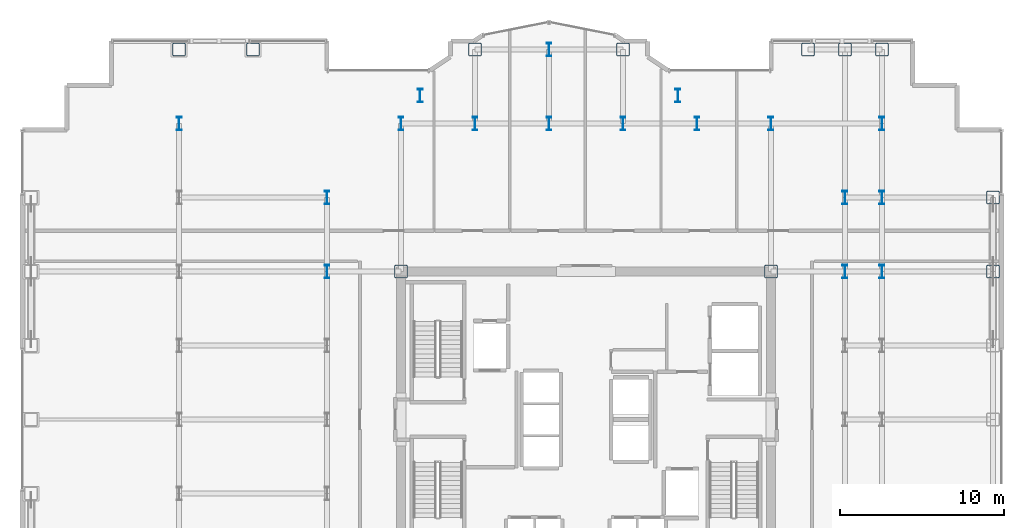
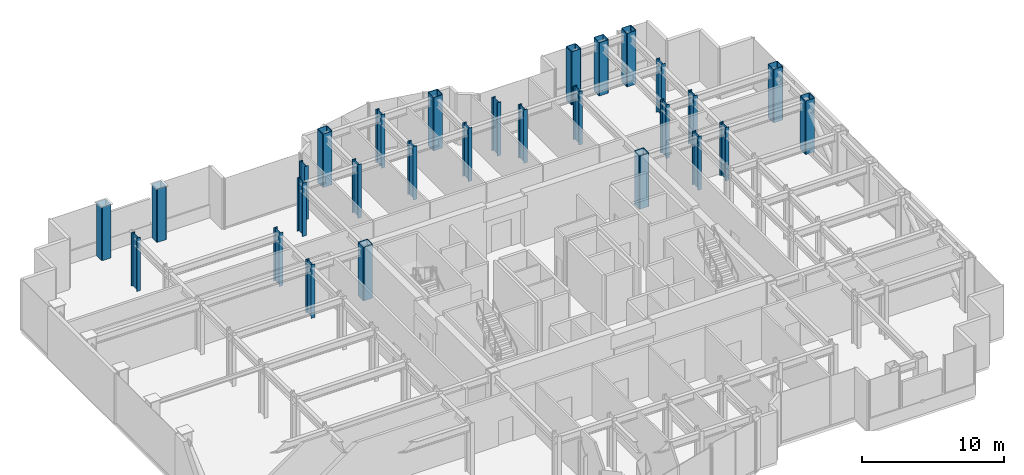
# One storey, part 2 of 26: 28 columns.
"""IFC4 building model written with IfcOpenShell, lengths in metres."""

from ifc_helpers import new_model, si_unit, direction, frame, origin, origin_2d, place, context, subcontext, project, spatial, hollow_rectangle, i_section, extrude, source, transform, mapped, material, material_profile, profile_set, type_object, element, save


model = new_model("IFC4")

# Units and contexts
model_context = context("Model", 3, precision=1e-05, world=origin(), true_north=direction((0.0, 1.0)))
body_context = subcontext(model_context, "Body", "Model", "MODEL_VIEW")
ifc_project = project(units=[si_unit("LENGTHUNIT", "METRE"), si_unit("AREAUNIT", "SQUARE_METRE"), si_unit("VOLUMEUNIT", "CUBIC_METRE"), si_unit("PLANEANGLEUNIT", "RADIAN"), si_unit("MASSUNIT", "GRAM", prefix="KILO")], contexts=[model_context])

# Site, building, storey
site_placement = place(None, origin())
site = spatial("IfcSite", under=ifc_project, at=site_placement, CompositionType="ELEMENT")
building_placement = place(site_placement, origin())
building = spatial("IfcBuilding", under=site, at=building_placement, Name="Nefas-Gora Pilgrimage Tower", CompositionType="ELEMENT")
storey_placement = place(building_placement, frame((0.0, 0.0, 202.0)))
storey = spatial("IfcBuildingStorey", under=building, at=storey_placement, Name="L50", CompositionType="ELEMENT", Elevation=202.0)

# Columns
ifc_material = material(Name="Steel S460", Category="steel")
ifc_material_profile_1 = material_profile(ifc_material, hollow_rectangle(XDim=0.800048828125, YDim=0.800048828125, WallThickness=0.0400390625, InnerFilletRadius=0.0400390625, OuterFilletRadius=0.080078125, at=origin_2d()), Name="BOX 800x800x40")
ifc_profile_set_1 = profile_set([ifc_material_profile_1], Name="Steel S460")
column_type_1 = type_object("IfcColumnType", Name="COL-TUBE-800", PredefinedType="COLUMN", material=ifc_profile_set_1)
shared_shape_1 = source(origin(), body_context, "Body", "SweptSolid", [
    extrude(hollow_rectangle(XDim=0.800048828125, YDim=0.800048828125, WallThickness=0.0400390625, InnerFilletRadius=0.0400390625, OuterFilletRadius=0.080078125, at=origin_2d()), origin(), (0.0, 0.0, 1.0), 4.60009765625),
])
for number, where, z_axis, x_axis, name in (
    (1, (-24.75, 22.5, 0.0), (0.0, 0.0, 1.0), (1.0, 0.0, 0.0), "L50 Tower Column C-Z2.18"),
    (2, (-20.25, 22.5, 0.0), (0.0, 0.0, 1.0), (1.0, 0.0, 0.0), "L50 Tower Column C-Z2.20"),
    (3, (-6.75, 22.5, 0.0), (0.0, 0.0, 1.0), (1.0, 0.0, 0.0), "L50 Tower Column C-Z2.37"),
    (4, (2.25, 22.5, 0.0), (0.0, 0.0, 1.0), (1.0, 0.0, 0.0), "L50 Tower Column C-Z2.45"),
    (5, (13.5, 22.5, 0.0), (0.0, 0.0, 1.0), (1.0, 0.0, 0.0), "L50 Tower Column C-Z2.55"),
    (6, (15.75, 22.5, 0.0), (0.0, 0.0, 1.0), (1.0, 0.0, 0.0), "L50 Tower Column C-Z2.64"),
    (7, (18.0, 22.5, 0.0), (0.0, 0.0, 1.0), (1.0, 0.0, 0.0), "L50 Tower Column C-Z2.73"),
    (8, (24.75, 9.0, 0.0), (0.0, 0.0, 1.0), (1.0, 0.0, 0.0), "L50 Tower Column C-Z2.79"),
    (9, (24.75, 13.5, 0.0), (0.0, 0.0, 1.0), (1.0, 0.0, 0.0), "L50 Tower Column C-Z2.80"),
):
    element("IfcColumn", number, at=place(storey_placement, frame(where, z_axis=z_axis, x_axis=x_axis)), inside=storey, type_object=column_type_1, Name=name, PredefinedType="COLUMN", context=body_context, shape_type="MappedRepresentation", body=[
        mapped(shared_shape_1, transform((0.0, 0.0, 0.0), x_axis=(1.0, 0.0, 0.0), y_axis=(0.0, 1.0, 0.0), z_axis=(0.0, 0.0, 1.0), scale=1.0)),
    ])
ifc_material_profile_2 = material_profile(ifc_material, i_section(OverallWidth=0.302978515625, OverallDepth=0.81396484375, WebThickness=0.02099609375, FlangeThickness=0.0400390625, FilletRadius=0.030029296875, at=origin_2d()), Name="HEM 800")
ifc_profile_set_2 = profile_set([ifc_material_profile_2], Name="Steel S460")
column_type_2 = type_object("IfcColumnType", Name="COL-WEB-HEM800", PredefinedType="COLUMN", material=ifc_profile_set_2)
shared_shape_2 = source(origin(), body_context, "Body", "SweptSolid", [
    extrude(i_section(OverallWidth=0.302978515625, OverallDepth=0.81396484375, WebThickness=0.02099609375, FlangeThickness=0.0400390625, FilletRadius=0.030029296875, at=origin_2d()), origin(), (0.0, 0.0, 1.0), 4.60009765625),
])
for number, where, z_axis, x_axis, name in (
    (10, (-24.75, 18.0, 0.0), (0.0, 0.0, 1.0), (1.0, 0.0, 0.0), "L50 Tower Column CW-02.17"),
    (11, (-15.75, 9.0, 0.0), (0.0, 0.0, 1.0), (1.0, 0.0, 0.0), "L50 Tower Column CW-02.26"),
    (12, (-15.75, 13.5, 0.0), (0.0, 0.0, 1.0), (1.0, 0.0, 0.0), "L50 Tower Column CW-02.27"),
    (13, (-11.25, 18.0, 0.0), (0.0, 0.0, 1.0), (1.0, 0.0, 0.0), "L50 Tower Column CW-02.31"),
    (14, (-10.091064453125, 19.696044921875, 0.0), (0.0, 0.0, 1.0), (1.0, 0.0, 0.0), "L50 Tower Column CW-02.33"),
    (15, (-6.75, 18.0, 0.0), (0.0, 0.0, 1.0), (1.0, 0.0, 0.0), "L50 Tower Column CW-02.36"),
    (16, (-2.25, 18.0, 0.0), (0.0, 0.0, 1.0), (1.0, 0.0, 0.0), "L50 Tower Column CW-02.40"),
    (17, (-2.25, 22.5, 0.0), (0.0, 0.0, 1.0), (1.0, 0.0, 0.0), "L50 Tower Column CW-02.41"),
    (18, (2.25, 18.0, 0.0), (0.0, 0.0, 1.0), (1.0, 0.0, 0.0), "L50 Tower Column CW-02.44"),
    (19, (5.591064453125, 19.696044921875, 0.0), (0.0, 0.0, 1.0), (1.0, 0.0, 0.0), "L50 Tower Column CW-02.47"),
    (20, (6.75, 18.0, 0.0), (0.0, 0.0, 1.0), (1.0, 0.0, 0.0), "L50 Tower Column CW-02.49"),
    (21, (11.25, 18.0, 0.0), (0.0, 0.0, 1.0), (1.0, 0.0, 0.0), "L50 Tower Column CW-02.53"),
    (22, (15.75, 9.0, 0.0), (0.0, 0.0, 1.0), (1.0, 0.0, 0.0), "L50 Tower Column CW-02.62"),
    (23, (15.75, 13.5, 0.0), (0.0, 0.0, 1.0), (1.0, 0.0, 0.0), "L50 Tower Column CW-02.63"),
    (24, (18.0, 9.0, 0.0), (0.0, 0.0, 1.0), (1.0, 0.0, 0.0), "L50 Tower Column CW-02.70"),
    (25, (18.0, 13.5, 0.0), (0.0, 0.0, 1.0), (1.0, 0.0, 0.0), "L50 Tower Column CW-02.71"),
    (26, (18.0, 18.0, 0.0), (0.0, 0.0, 1.0), (1.0, 0.0, 0.0), "L50 Tower Column CW-02.72"),
):
    element("IfcColumn", number, at=place(storey_placement, frame(where, z_axis=z_axis, x_axis=x_axis)), inside=storey, type_object=column_type_2, Name=name, PredefinedType="COLUMN", context=body_context, shape_type="MappedRepresentation", body=[
        mapped(shared_shape_2, transform((0.0, 0.0, 0.0), x_axis=(1.0, 0.0, 0.0), y_axis=(0.0, 1.0, 0.0), z_axis=(0.0, 0.0, 1.0), scale=1.0)),
    ])
ifc_material_profile_3 = material_profile(ifc_material, hollow_rectangle(XDim=0.800048828125, YDim=0.800048828125, WallThickness=0.0400390625, InnerFilletRadius=0.0400390625, OuterFilletRadius=0.080078125, at=origin_2d()), Name="BOX 800x800x40")
ifc_profile_set_3 = profile_set([ifc_material_profile_3], Name="Steel S460")
column_type_3 = type_object("IfcColumnType", Name="COL-CORE-800", PredefinedType="COLUMN", material=ifc_profile_set_3)
shared_shape_3 = source(origin(), body_context, "Body", "SweptSolid", [
    extrude(hollow_rectangle(XDim=0.800048828125, YDim=0.800048828125, WallThickness=0.0400390625, InnerFilletRadius=0.0400390625, OuterFilletRadius=0.080078125, at=origin_2d()), origin(), (0.0, 0.0, 1.0), 4.60009765625),
])
for number, where, z_axis, x_axis, name in (
    (27, (-11.25, 9.0, 0.0), (0.0, 0.0, 1.0), (1.0, 0.0, 0.0), "L50 Tower Column CC-Z2.30"),
    (28, (11.25, 9.0, 0.0), (0.0, 0.0, 1.0), (1.0, 0.0, 0.0), "L50 Tower Column CC-Z2.52"),
):
    element("IfcColumn", number, at=place(storey_placement, frame(where, z_axis=z_axis, x_axis=x_axis)), inside=storey, type_object=column_type_3, Name=name, PredefinedType="COLUMN", context=body_context, shape_type="MappedRepresentation", body=[
        mapped(shared_shape_3, transform((0.0, 0.0, 0.0), x_axis=(1.0, 0.0, 0.0), y_axis=(0.0, 1.0, 0.0), z_axis=(0.0, 0.0, 1.0), scale=1.0)),
    ])

save(model, "model.ifc")
